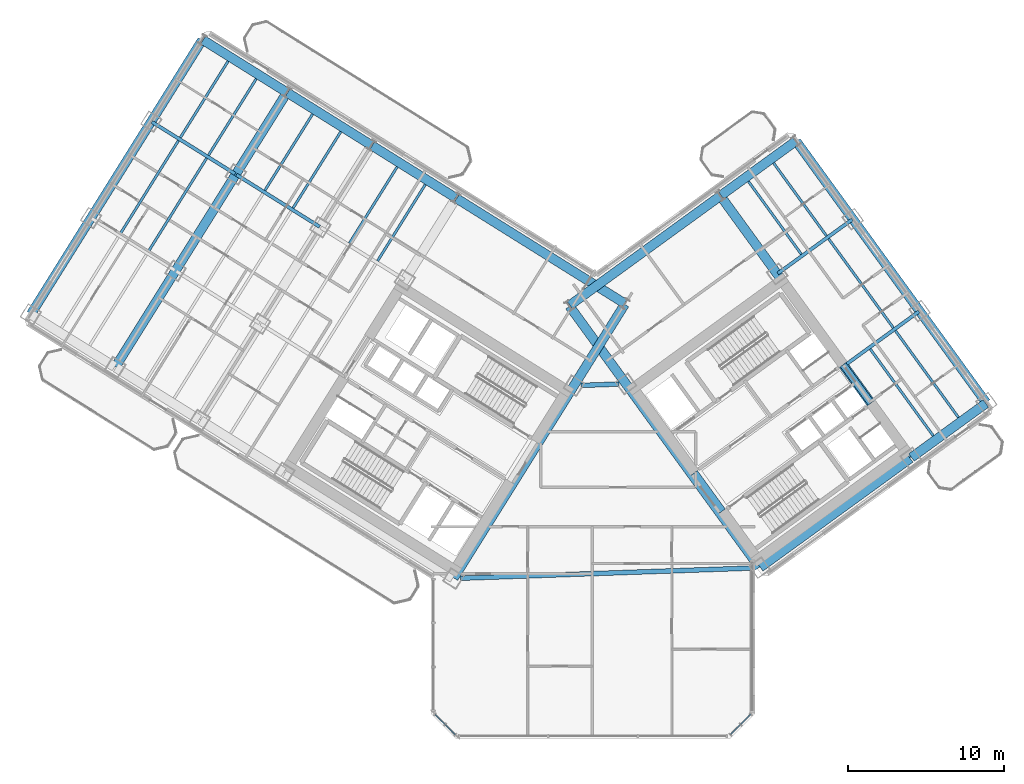
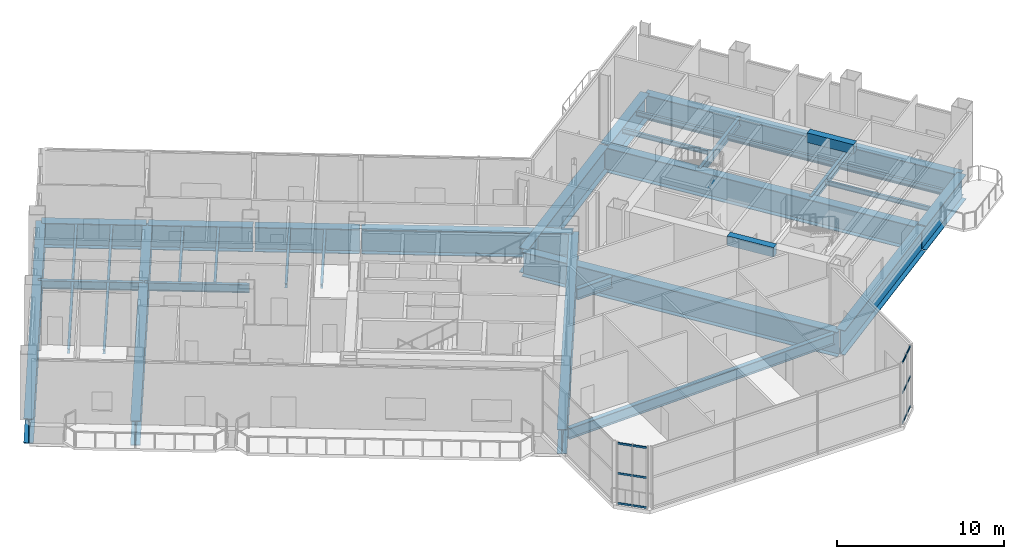
# One storey, part 8 of 22: 35 beams, 12 members, 2 elements without a shape of their own.
"""IFC4 building model written with IfcOpenShell, lengths in metres."""

from ifc_helpers import new_model, si_unit, direction, frame, origin, origin_2d, place, context, subcontext, project, spatial, rectangle, hollow_rectangle, i_section, extrude, source, transform, mapped, material, material_profile, profile_set, type_object, element, aggregate, save


model = new_model("IFC4")

# Units and contexts
model_context = context("Model", 3, precision=1e-05, world=origin(), true_north=direction((0.0, 1.0)))
body_context = subcontext(model_context, "Body", "Model", "MODEL_VIEW")
ifc_project = project(units=[si_unit("LENGTHUNIT", "METRE"), si_unit("AREAUNIT", "SQUARE_METRE"), si_unit("VOLUMEUNIT", "CUBIC_METRE"), si_unit("PLANEANGLEUNIT", "RADIAN"), si_unit("MASSUNIT", "GRAM", prefix="KILO")], contexts=[model_context])

# Site, building, storey
site_placement = place(None, origin())
site = spatial("IfcSite", under=ifc_project, at=site_placement, CompositionType="ELEMENT")
building_placement = place(site_placement, origin())
building = spatial("IfcBuilding", under=site, at=building_placement, Name="Tlacorven Tower", CompositionType="ELEMENT")
storey_placement = place(building_placement, frame((0.0, 0.0, 71.699951171875)))
storey = spatial("IfcBuildingStorey", under=building, at=storey_placement, Name="L18", CompositionType="ELEMENT", Elevation=71.699951171875)

# Beams
ifc_material_1 = material(Name="Concrete C60/75", Category="concrete")
ifc_material_profile_1 = material_profile(ifc_material_1, rectangle(XDim=0.449951171875, YDim=0.699951171875, at=origin_2d()), Name="RC 450X700")
ifc_profile_set_1 = profile_set([ifc_material_profile_1], Name="Concrete C60/75")
beam_type_1 = type_object("IfcBeamType", Name="BM-LNT-700", PredefinedType="LINTEL", material=ifc_profile_set_1)
shared_shape_1 = source(origin(), body_context, "Body", "SweptSolid", [
    extrude(rectangle(XDim=0.449951171875, YDim=0.699951171875, at=origin_2d()), origin(), (0.0, 0.0, 1.0), 3.050048828125),
])
for number, where, z_axis, x_axis, name in (
    (1, (50.318359375, 16.416015625, 4.170166015625), (-0.587776590479, 0.80902328748, 0.0), (-0.80902328748, -0.587776590479, 0.0), "L18 E core coupling lintel beam E1"),
    (2, (59.856689453125, 23.345947265625, 4.170166015625), (-0.587776590479, 0.80902328748, 0.0), (-0.80902328748, -0.587776590479, 0.0), "L18 E core coupling lintel beam E2"),
):
    element("IfcBeam", number, at=place(storey_placement, frame(where, z_axis=z_axis, x_axis=x_axis)), inside=storey, type_object=beam_type_1, Name=name, PredefinedType="LINTEL", context=body_context, shape_type="MappedRepresentation", body=[
        mapped(shared_shape_1, transform((0.0, 0.0, 0.0), scale=1.0)),
    ])
ifc_material_2 = material(Name="Steel S460M", Category="steel")
ifc_material_profile_2 = material_profile(ifc_material_2, i_section(OverallWidth=0.60009765625, OverallDepth=1.800048828125, WebThickness=0.028076171875, FlangeThickness=0.0400390625, at=origin_2d()), Name="PG 1800X600X28X40")
ifc_profile_set_2 = profile_set([ifc_material_profile_2], Name="Steel S460M")
beam_type_2 = type_object("IfcBeamType", Name="BM-TRG-1800", PredefinedType="USERDEFINED", material=ifc_profile_set_2)
shared_shape_2 = source(origin(), body_context, "Body", "SweptSolid", [
    extrude(i_section(OverallWidth=0.60009765625, OverallDepth=1.800048828125, WebThickness=0.028076171875, FlangeThickness=0.0400390625, at=origin_2d()), origin(), (0.0, 0.0, 1.0), 20.72021484375),
])
for number, where, z_axis, x_axis, name in (
    (3, (16.90966796875, 46.64990234375, -1.179931640625), (-0.529916326015, -0.848049932152, 0.0), (0.848049932152, -0.529916326015, 0.0), "L18 beam BM-L18-WT6-1"),
    (4, (52.681884765625, 12.8056640625, -1.179931640625), (-0.587784199495, 0.809017759276, 0.0), (-0.809017759276, -0.587784199495, 0.0), "L18 beam BM-L18-ET1-1"),
    (5, (62.39013671875, 19.859130859375, -1.179931640625), (-0.587784199495, 0.809017759276, 0.0), (-0.809017759276, -0.587784199495, 0.0), "L18 beam BM-L18-ET3-1"),
):
    element("IfcBeam", number, at=place(storey_placement, frame(where, z_axis=z_axis, x_axis=x_axis)), inside=storey, type_object=beam_type_2, Name=name, ObjectType="TRANSFER GIRDER", PredefinedType="USERDEFINED", context=body_context, shape_type="MappedRepresentation", body=[
        mapped(shared_shape_2, transform((0.0, 0.0, 0.0), scale=1.0)),
    ])
shared_shape_3 = source(origin(), body_context, "Body", "SweptSolid", [
    extrude(i_section(OverallWidth=0.60009765625, OverallDepth=1.800048828125, WebThickness=0.028076171875, FlangeThickness=0.0400390625, at=origin_2d()), origin(), (0.0, 0.0, 1.0), 20.719970703125),
])
for number, where, z_axis, x_axis, name in (
    (6, (44.04736328125, 29.6923828125, -1.179931640625), (-0.529921621162, -0.84804662338, 0.0), (0.84804662338, -0.529921621162, 0.0), "L18 beam BM-L18-WT1-1"),
    (7, (22.337158203125, 43.25830078125, -1.179931640625), (-0.52991314706, -0.84805191856, 0.0), (0.84805191856, -0.52991314706, 0.0), "L18 beam BM-L18-WT5-1"),
    (8, (67.244140625, 23.385986328125, -1.179931640625), (-0.587789802576, 0.809013688381, 0.0), (-0.809013688381, -0.587789802576, 0.0), "L18 beam BM-L18-ET4-1"),
):
    element("IfcBeam", number, at=place(storey_placement, frame(where, z_axis=z_axis, x_axis=x_axis)), inside=storey, type_object=beam_type_2, Name=name, ObjectType="TRANSFER GIRDER", PredefinedType="USERDEFINED", context=body_context, shape_type="MappedRepresentation", body=[
        mapped(shared_shape_3, transform((0.0, 0.0, 0.0), scale=1.0)),
    ])
ifc_material_3 = material(Name="Steel S355J2", Category="steel")
ifc_material_profile_3 = material_profile(ifc_material_3, i_section(OverallWidth=0.300048828125, OverallDepth=0.800048828125, WebThickness=0.017578125, FlangeThickness=0.032958984375, at=origin_2d()), Name="HEB 800")
ifc_profile_set_3 = profile_set([ifc_material_profile_3], Name="Steel S355J2")
beam_type_3 = type_object("IfcBeamType", Name="BM-POD-800", PredefinedType="BEAM", material=ifc_profile_set_3)
shared_shape_4 = source(origin(), body_context, "Body", "SweptSolid", [
    extrude(i_section(OverallWidth=0.300048828125, OverallDepth=0.800048828125, WebThickness=0.017578125, FlangeThickness=0.032958984375, at=origin_2d()), origin(), (0.0, 0.0, 1.0), 2.44287109375),
])
beam_1_placement = place(storey_placement, frame((41.232666015625, 24.484130859375, -0.679931640625), z_axis=(0.999391550767, 0.034878765122, 0.0), x_axis=(-0.034878765122, 0.999391550767, 0.0)))
element("IfcBeam", 9, at=beam_1_placement, inside=storey, type_object=beam_type_3, Name="L18 Knuckle Link Girder 1", PredefinedType="BEAM", context=body_context, shape_type="MappedRepresentation", body=[
    mapped(shared_shape_4, transform((0.0, 0.0, 0.0), scale=1.0)),
])
shared_shape_5 = source(origin(), body_context, "Body", "SweptSolid", [
    extrude(i_section(OverallWidth=0.300048828125, OverallDepth=0.800048828125, WebThickness=0.017578125, FlangeThickness=0.032958984375, at=origin_2d()), origin(), (0.0, 0.0, 1.0), 18.771240234375),
])
beam_2_placement = place(storey_placement, frame((33.495849609375, 12.1025390625, -0.679931640625), z_axis=(0.999390514848, 0.034908434954, 0.0), x_axis=(-0.034908434954, 0.999390514848, 0.0)))
element("IfcBeam", 10, at=beam_2_placement, inside=storey, type_object=beam_type_3, Name="L18 Knuckle Link Girder 2", PredefinedType="BEAM", context=body_context, shape_type="MappedRepresentation", body=[
    mapped(shared_shape_5, transform((0.0, 0.0, 0.0), scale=1.0)),
])
ifc_material_profile_4 = material_profile(ifc_material_3, i_section(OverallWidth=0.159912109375, OverallDepth=0.330078125, WebThickness=0.007568359375, FlangeThickness=0.011474609375, at=origin_2d()), Name="IPE 330")
ifc_profile_set_4 = profile_set([ifc_material_profile_4], Name="Steel S355J2")
beam_type_4 = type_object("IfcBeamType", Name="BM-JST-330", PredefinedType="JOIST", material=ifc_profile_set_4)
shared_shape_6 = source(origin(), body_context, "Body", "SweptSolid", [
    extrude(i_section(OverallWidth=0.159912109375, OverallDepth=0.330078125, WebThickness=0.007568359375, FlangeThickness=0.011474609375, at=origin_2d()), origin(), (0.0, 0.0, 1.0), 7.070068359375),
])
for number, where, z_axis, x_axis, name in (
    (11, (17.202880859375, 39.0673828125, -0.445068359375), (-0.529915131461, -0.848050678585, 0.0), (0.848050678585, -0.529915131461, 0.0), "L18 beam BM-L18-WJ5-2-1"),
    (12, (15.3935546875, 40.19775390625, -0.445068359375), (-0.529930649952, -0.848040981463, 0.0), (0.848040981463, -0.529930649952, 0.0), "L18 beam BM-L18-WJ5-2-2"),
    (13, (61.291259765625, 28.1767578125, -0.445068359375), (-0.587797946309, 0.80900777148, 0.0), (-0.80900777148, -0.587797946309, 0.0), "L18 beam BM-L18-EJ3-2-2"),
):
    element("IfcBeam", number, at=place(storey_placement, frame(where, z_axis=z_axis, x_axis=x_axis)), inside=storey, type_object=beam_type_4, Name=name, PredefinedType="JOIST", context=body_context, shape_type="MappedRepresentation", body=[
        mapped(shared_shape_6, transform((0.0, 0.0, 0.0), scale=1.0)),
    ])
shared_shape_7 = source(origin(), body_context, "Body", "SweptSolid", [
    extrude(i_section(OverallWidth=0.60009765625, OverallDepth=1.800048828125, WebThickness=0.028076171875, FlangeThickness=0.0400390625, at=origin_2d()), origin(), (0.0, 0.0, 1.0), 12.699951171875),
])
beam_3_placement = place(storey_placement, frame((44.026123046875, 29.752685546875, -1.179931640625), z_axis=(-0.848049059057, 0.529917723268, 0.0), x_axis=(-0.529917723268, -0.848049059057, 0.0)))
element("IfcBeam", 14, at=beam_3_placement, inside=storey, type_object=beam_type_2, Name="L18 beam BM-L18-WL1-1", ObjectType="TRANSFER GIRDER", PredefinedType="USERDEFINED", context=body_context, shape_type="MappedRepresentation", body=[
    mapped(shared_shape_7, transform((0.0, 0.0, 0.0), scale=1.0)),
])
shared_shape_8 = source(origin(), body_context, "Body", "SweptSolid", [
    extrude(i_section(OverallWidth=0.60009765625, OverallDepth=1.800048828125, WebThickness=0.028076171875, FlangeThickness=0.0400390625, at=origin_2d()), origin(), (0.0, 0.0, 1.0), 6.300048828125),
])
for number, where, z_axis, x_axis, name in (
    (15, (33.171142578125, 36.53564453125, -1.179931640625), (-0.848041842361, 0.529929272267, 0.0), (-0.529929272267, -0.848041842361, 0.0), "L18 beam BM-L18-WL1-3"),
    (16, (27.74365234375, 39.92724609375, -1.179931640625), (-0.848059257352, 0.529901402168, 0.0), (-0.529901402168, -0.848059257352, 0.0), "L18 beam BM-L18-WL1-4"),
):
    element("IfcBeam", number, at=place(storey_placement, frame(where, z_axis=z_axis, x_axis=x_axis)), inside=storey, type_object=beam_type_2, Name=name, ObjectType="TRANSFER GIRDER", PredefinedType="USERDEFINED", context=body_context, shape_type="MappedRepresentation", body=[
        mapped(shared_shape_8, transform((0.0, 0.0, 0.0), scale=1.0)),
    ])
shared_shape_9 = source(origin(), body_context, "Body", "SweptSolid", [
    extrude(i_section(OverallWidth=0.60009765625, OverallDepth=1.800048828125, WebThickness=0.028076171875, FlangeThickness=0.0400390625, at=origin_2d()), origin(), (0.0, 0.0, 1.0), 6.2998046875),
])
beam_4_placement = place(storey_placement, frame((22.31591796875, 43.318603515625, -1.179931640625), z_axis=(-0.848030959382, 0.529946687819, 0.0), x_axis=(-0.529946687819, -0.848030959382, 0.0)))
element("IfcBeam", 17, at=beam_4_placement, inside=storey, type_object=beam_type_2, Name="L18 beam BM-L18-WL1-5", ObjectType="TRANSFER GIRDER", PredefinedType="USERDEFINED", context=body_context, shape_type="MappedRepresentation", body=[
    mapped(shared_shape_9, transform((0.0, 0.0, 0.0), scale=1.0)),
])
ifc_material_profile_5 = material_profile(ifc_material_3, i_section(OverallWidth=0.219970703125, OverallDepth=0.60009765625, WebThickness=0.011962890625, FlangeThickness=0.01904296875, at=origin_2d()), Name="IPE 600")
ifc_profile_set_5 = profile_set([ifc_material_profile_5], Name="Steel S355J2")
beam_type_5 = type_object("IfcBeamType", Name="BM-TWR-600", PredefinedType="BEAM", material=ifc_profile_set_5)
shared_shape_10 = source(origin(), body_context, "Body", "SweptSolid", [
    extrude(i_section(OverallWidth=0.219970703125, OverallDepth=0.60009765625, WebThickness=0.011962890625, FlangeThickness=0.01904296875, at=origin_2d()), origin(), (0.0, 0.0, 1.0), 6.300048828125),
])
for number, where, z_axis, x_axis, name in (
    (18, (24.4580078125, 34.66943359375, -0.579833984375), (-0.848059257352, 0.529901402168, 0.0), (-0.529901402168, -0.848059257352, 0.0), "L18 beam BM-L18-WL2-4"),
    (19, (19.030517578125, 38.060791015625, -0.579833984375), (-0.848041842361, 0.529929272267, 0.0), (-0.529929272267, -0.848041842361, 0.0), "L18 beam BM-L18-WL2-5"),
):
    element("IfcBeam", number, at=place(storey_placement, frame(where, z_axis=z_axis, x_axis=x_axis)), inside=storey, type_object=beam_type_5, Name=name, PredefinedType="BEAM", context=body_context, shape_type="MappedRepresentation", body=[
        mapped(shared_shape_10, transform((0.0, 0.0, 0.0), scale=1.0)),
    ])
shared_shape_11 = source(origin(), body_context, "Body", "SweptSolid", [
    extrude(i_section(OverallWidth=0.159912109375, OverallDepth=0.330078125, WebThickness=0.007568359375, FlangeThickness=0.011474609375, at=origin_2d()), origin(), (0.0, 0.0, 1.0), 5.780029296875),
])
for number, where, z_axis, x_axis, name in (
    (20, (31.24267578125, 37.381103515625, -0.445068359375), (-0.529915411001, -0.848050503911, 0.0), (0.848050503911, -0.529915411001, 0.0), "L18 beam BM-L18-WJ3-1-1"),
    (21, (29.433349609375, 38.51171875, -0.445068359375), (-0.529885032993, -0.848069485248, 0.0), (0.848069485248, -0.529885032993, 0.0), "L18 beam BM-L18-WJ3-1-2"),
    (22, (25.815185546875, 40.7724609375, -0.445068359375), (-0.529934393004, -0.848038642463, 0.0), (0.848038642463, -0.529934393004, 0.0), "L18 beam BM-L18-WJ4-1-1"),
    (23, (20.3876953125, 44.1640625, -0.445068359375), (-0.529915411001, -0.848050503911, 0.0), (0.848050503911, -0.529915411001, 0.0), "L18 beam BM-L18-WJ5-1-1"),
    (24, (18.578369140625, 45.294677734375, -0.445068359375), (-0.529915411001, -0.848050503911, 0.0), (0.848050503911, -0.529915411001, 0.0), "L18 beam BM-L18-WJ5-1-2"),
    (25, (55.38232421875, 32.906982421875, -0.445068359375), (-0.587752199212, 0.809041007812, 0.0), (-0.809041007812, -0.587752199212, 0.0), "L18 beam BM-L18-EJ3-3-1"),
    (26, (57.00048828125, 34.082763671875, -0.445068359375), (-0.587799931082, 0.809006329406, 0.0), (-0.809006329406, -0.587799931082, 0.0), "L18 beam BM-L18-EJ3-3-2"),
):
    element("IfcBeam", number, at=place(storey_placement, frame(where, z_axis=z_axis, x_axis=x_axis)), inside=storey, type_object=beam_type_4, Name=name, PredefinedType="JOIST", context=body_context, shape_type="MappedRepresentation", body=[
        mapped(shared_shape_11, transform((0.0, 0.0, 0.0), scale=1.0)),
    ])
shared_shape_12 = source(origin(), body_context, "Body", "SweptSolid", [
    extrude(i_section(OverallWidth=0.159912109375, OverallDepth=0.330078125, WebThickness=0.007568359375, FlangeThickness=0.011474609375, at=origin_2d()), origin(), (0.0, 0.0, 1.0), 5.77978515625),
])
beam_5_placement = place(storey_placement, frame((24.005859375, 41.903076171875, -0.445068359375), z_axis=(-0.529904014759, -0.848057624895, 0.0), x_axis=(0.848057624895, -0.529904014759, 0.0)))
element("IfcBeam", 27, at=beam_5_placement, inside=storey, type_object=beam_type_4, Name="L18 beam BM-L18-WJ4-1-2", PredefinedType="JOIST", context=body_context, shape_type="MappedRepresentation", body=[
    mapped(shared_shape_12, transform((0.0, 0.0, 0.0), scale=1.0)),
])
shared_shape_13 = source(origin(), body_context, "Body", "SweptSolid", [
    extrude(i_section(OverallWidth=0.159912109375, OverallDepth=0.330078125, WebThickness=0.007568359375, FlangeThickness=0.011474609375, at=origin_2d()), origin(), (0.0, 0.0, 1.0), 6.8798828125),
])
for number, where, z_axis, x_axis, name in (
    (28, (63.852294921875, 21.249267578125, -0.445068359375), (-0.58779183559, 0.809012211288, 0.0), (-0.809012211288, -0.58779183559, 0.0), "L18 beam BM-L18-EJ3-1-1"),
    (29, (65.470458984375, 22.4248046875, -0.445068359375), (-0.58779183559, 0.809012211288, 0.0), (-0.809012211288, -0.58779183559, 0.0), "L18 beam BM-L18-EJ3-1-2"),
):
    element("IfcBeam", number, at=place(storey_placement, frame(where, z_axis=z_axis, x_axis=x_axis)), inside=storey, type_object=beam_type_4, Name=name, PredefinedType="JOIST", context=body_context, shape_type="MappedRepresentation", body=[
        mapped(shared_shape_13, transform((0.0, 0.0, 0.0), scale=1.0)),
    ])
shared_shape_14 = source(origin(), body_context, "Body", "SweptSolid", [
    extrude(i_section(OverallWidth=0.60009765625, OverallDepth=1.800048828125, WebThickness=0.028076171875, FlangeThickness=0.0400390625, at=origin_2d()), origin(), (0.0, 0.0, 1.0), 11.89990234375),
])
for number, where, z_axis, x_axis, name in (
    (30, (52.745849609375, 12.802734375, -1.179931640625), (0.809014570063, 0.587788589057, 0.0), (-0.587788589057, 0.809014570063, 0.0), "L18 beam BM-L18-EL1-1"),
    (31, (40.52001953125, 29.63037109375, -1.179931640625), (0.809014570063, 0.587788589057, 0.0), (-0.587788589057, 0.809014570063, 0.0), "L18 beam BM-L18-EL4-1"),
):
    element("IfcBeam", number, at=place(storey_placement, frame(where, z_axis=z_axis, x_axis=x_axis)), inside=storey, type_object=beam_type_2, Name=name, ObjectType="TRANSFER GIRDER", PredefinedType="USERDEFINED", context=body_context, shape_type="MappedRepresentation", body=[
        mapped(shared_shape_14, transform((0.0, 0.0, 0.0), scale=1.0)),
    ])
shared_shape_15 = source(origin(), body_context, "Body", "SweptSolid", [
    extrude(i_section(OverallWidth=0.60009765625, OverallDepth=1.800048828125, WebThickness=0.028076171875, FlangeThickness=0.0400390625, at=origin_2d()), origin(), (0.0, 0.0, 1.0), 5.900146484375),
])
beam_6_placement = place(storey_placement, frame((62.4541015625, 19.856201171875, -1.179931640625), z_axis=(0.80900977213, 0.587795192732, 0.0), x_axis=(-0.587795192732, 0.80900977213, 0.0)))
element("IfcBeam", 32, at=beam_6_placement, inside=storey, type_object=beam_type_2, Name="L18 beam BM-L18-EL1-3", ObjectType="TRANSFER GIRDER", PredefinedType="USERDEFINED", context=body_context, shape_type="MappedRepresentation", body=[
    mapped(shared_shape_15, transform((0.0, 0.0, 0.0), scale=1.0)),
])
shared_shape_16 = source(origin(), body_context, "Body", "SweptSolid", [
    extrude(i_section(OverallWidth=0.219970703125, OverallDepth=0.60009765625, WebThickness=0.011962890625, FlangeThickness=0.01904296875, at=origin_2d()), origin(), (0.0, 0.0, 1.0), 5.900146484375),
])
beam_7_placement = place(storey_placement, frame((58.163330078125, 25.761962890625, -0.579833984375), z_axis=(0.80900977213, 0.587795192732, 0.0), x_axis=(-0.587795192732, 0.80900977213, 0.0)))
element("IfcBeam", 33, at=beam_7_placement, inside=storey, type_object=beam_type_5, Name="L18 beam BM-L18-EL2-3", PredefinedType="BEAM", context=body_context, shape_type="MappedRepresentation", body=[
    mapped(shared_shape_16, transform((0.0, 0.0, 0.0), scale=1.0)),
])
shared_shape_17 = source(origin(), body_context, "Body", "SweptSolid", [
    extrude(i_section(OverallWidth=0.219970703125, OverallDepth=0.60009765625, WebThickness=0.011962890625, FlangeThickness=0.01904296875, at=origin_2d()), origin(), (0.0, 0.0, 1.0), 5.89990234375),
])
beam_8_placement = place(storey_placement, frame((53.872314453125, 31.66796875, -0.579833984375), z_axis=(0.809029449413, 0.587768109021, 0.0), x_axis=(-0.587768109021, 0.809029449413, 0.0)))
element("IfcBeam", 34, at=beam_8_placement, inside=storey, type_object=beam_type_5, Name="L18 beam BM-L18-EL3-3", PredefinedType="BEAM", context=body_context, shape_type="MappedRepresentation", body=[
    mapped(shared_shape_17, transform((0.0, 0.0, 0.0), scale=1.0)),
])
shared_shape_18 = source(origin(), body_context, "Body", "SweptSolid", [
    extrude(i_section(OverallWidth=0.60009765625, OverallDepth=1.800048828125, WebThickness=0.028076171875, FlangeThickness=0.0400390625, at=origin_2d()), origin(), (0.0, 0.0, 1.0), 5.89990234375),
])
beam_9_placement = place(storey_placement, frame((50.22802734375, 36.683837890625, -1.179931640625), z_axis=(0.809029449413, 0.587768109021, 0.0), x_axis=(-0.587768109021, 0.809029449413, 0.0)))
element("IfcBeam", 35, at=beam_9_placement, inside=storey, type_object=beam_type_2, Name="L18 beam BM-L18-EL4-3", ObjectType="TRANSFER GIRDER", PredefinedType="USERDEFINED", context=body_context, shape_type="MappedRepresentation", body=[
    mapped(shared_shape_18, transform((0.0, 0.0, 0.0), scale=1.0)),
])

# Curtain wall, members
ifc_material_4 = material(Name="Dark solar low-E double glazing in aluminium frame", Category="aluminium")
curtain_wall_type = type_object("IfcCurtainWallType", Name="CW-TWR-LOW", PredefinedType="USERDEFINED", material=ifc_material_4)
curtain_wall_1_placement = place(storey_placement, origin())
curtain_wall_1 = element("IfcCurtainWall", 36, at=curtain_wall_1_placement, inside=storey, type_object=curtain_wall_type, Name="L18 CW-TWR-LOW Curtain Wall 99", ObjectType="UNITISED CURTAIN WALL", PredefinedType="USERDEFINED")
ifc_material_5 = material(Name="Aluminium 6063-T6 anodised", Category="aluminium")
ifc_material_profile_6 = material_profile(ifc_material_5, hollow_rectangle(XDim=0.06005859375, YDim=0.139892578125, WallThickness=0.00390625, at=origin_2d()), Name="ALU TRANSOM 60X140")
ifc_profile_set_6 = profile_set([ifc_material_profile_6], Name="Aluminium 6063-T6 anodised")
member_type = type_object("IfcMemberType", Name="CWT-02", PredefinedType="USERDEFINED", material=ifc_profile_set_6)
shared_shape_19 = source(origin(), body_context, "Body", "SweptSolid", [
    extrude(hollow_rectangle(XDim=0.06005859375, YDim=0.139892578125, WallThickness=0.00390625, at=origin_2d()), origin(), (0.0, 0.0, 1.0), 0.8837890625),
])
member_1_placement = place(storey_placement, frame((52.128173828125, 3.3544921875, 0.070068359375), z_axis=(-0.707106781187, -0.707106781187, 0.0), x_axis=(0.707106781187, -0.707106781187, 0.0)))
member_1 = element("IfcMember", 37, at=member_1_placement, type_object=member_type, Name="CW-L18-099 Transom 1", ObjectType="TRANSOM", PredefinedType="USERDEFINED", context=body_context, shape_type="MappedRepresentation", body=[
    mapped(shared_shape_19, transform((0.0, 0.0, 0.0), scale=1.0)),
])
member_2_placement = place(storey_placement, frame((52.128173828125, 3.3544921875, 2.260009765625), z_axis=(-0.707106781187, -0.707106781187, 0.0), x_axis=(0.707106781187, -0.707106781187, 0.0)))
member_2 = element("IfcMember", 38, at=member_2_placement, type_object=member_type, Name="CW-L18-099 Transom 2", ObjectType="TRANSOM", PredefinedType="USERDEFINED", context=body_context, shape_type="MappedRepresentation", body=[
    mapped(shared_shape_19, transform((0.0, 0.0, 0.0), scale=1.0)),
])
member_3_placement = place(storey_placement, frame((52.128173828125, 3.3544921875, 4.449951171875), z_axis=(-0.707106781187, -0.707106781187, 0.0), x_axis=(0.707106781187, -0.707106781187, 0.0)))
member_3 = element("IfcMember", 39, at=member_3_placement, type_object=member_type, Name="CW-L18-099 Transom 3", ObjectType="TRANSOM", PredefinedType="USERDEFINED", context=body_context, shape_type="MappedRepresentation", body=[
    mapped(shared_shape_19, transform((0.0, 0.0, 0.0), scale=1.0)),
])

curtain_wall_2_placement = place(storey_placement, origin())
curtain_wall_2 = element("IfcCurtainWall", 40, at=curtain_wall_2_placement, inside=storey, type_object=curtain_wall_type, Name="L18 CW-TWR-LOW Curtain Wall 101", ObjectType="UNITISED CURTAIN WALL", PredefinedType="USERDEFINED")
member_4_placement = place(storey_placement, frame((32.496826171875, 2.7294921875, 0.070068359375), z_axis=(-0.707106781187, 0.707106781187, 0.0), x_axis=(-0.707106781187, -0.707106781187, 0.0)))
member_4 = element("IfcMember", 41, at=member_4_placement, type_object=member_type, Name="CW-L18-101 Transom 4", ObjectType="TRANSOM", PredefinedType="USERDEFINED", context=body_context, shape_type="MappedRepresentation", body=[
    mapped(shared_shape_19, transform((0.0, 0.0, 0.0), scale=1.0)),
])
member_5_placement = place(storey_placement, frame((32.496826171875, 2.7294921875, 2.260009765625), z_axis=(-0.707106781187, 0.707106781187, 0.0), x_axis=(-0.707106781187, -0.707106781187, 0.0)))
member_5 = element("IfcMember", 42, at=member_5_placement, type_object=member_type, Name="CW-L18-101 Transom 5", ObjectType="TRANSOM", PredefinedType="USERDEFINED", context=body_context, shape_type="MappedRepresentation", body=[
    mapped(shared_shape_19, transform((0.0, 0.0, 0.0), scale=1.0)),
])
member_6_placement = place(storey_placement, frame((32.496826171875, 2.7294921875, 4.449951171875), z_axis=(-0.707106781187, 0.707106781187, 0.0), x_axis=(-0.707106781187, -0.707106781187, 0.0)))
member_6 = element("IfcMember", 43, at=member_6_placement, type_object=member_type, Name="CW-L18-101 Transom 6", ObjectType="TRANSOM", PredefinedType="USERDEFINED", context=body_context, shape_type="MappedRepresentation", body=[
    mapped(shared_shape_19, transform((0.0, 0.0, 0.0), scale=1.0)),
])

# Member
shared_shape_20 = source(origin(), body_context, "Body", "SweptSolid", [
    extrude(hollow_rectangle(XDim=0.06005859375, YDim=0.139892578125, WallThickness=0.00390625, at=origin_2d()), origin(), (0.0, 0.0, 1.0), 0.884033203125),
])
member_7_placement = place(storey_placement, frame((51.470703125, 2.69677734375, 0.070068359375), z_axis=(-0.707244847527, -0.706968687883, 0.0), x_axis=(0.706968687883, -0.707244847527, 0.0)))
member_7 = element("IfcMember", 44, at=member_7_placement, type_object=member_type, Name="CW-L18-099 Transom 4", ObjectType="TRANSOM", PredefinedType="USERDEFINED", context=body_context, shape_type="MappedRepresentation", body=[
    mapped(shared_shape_20, transform((0.0, 0.0, 0.0), scale=1.0)),
])

member_8_placement = place(storey_placement, frame((51.470703125, 2.69677734375, 2.260009765625), z_axis=(-0.707244847527, -0.706968687883, 0.0), x_axis=(0.706968687883, -0.707244847527, 0.0)))
member_8 = element("IfcMember", 45, at=member_8_placement, type_object=member_type, Name="CW-L18-099 Transom 5", ObjectType="TRANSOM", PredefinedType="USERDEFINED", context=body_context, shape_type="MappedRepresentation", body=[
    mapped(shared_shape_20, transform((0.0, 0.0, 0.0), scale=1.0)),
])

member_9_placement = place(storey_placement, frame((51.470703125, 2.69677734375, 4.449951171875), z_axis=(-0.707244847527, -0.706968687883, 0.0), x_axis=(0.706968687883, -0.707244847527, 0.0)))
member_9 = element("IfcMember", 46, at=member_9_placement, type_object=member_type, Name="CW-L18-099 Transom 6", ObjectType="TRANSOM", PredefinedType="USERDEFINED", context=body_context, shape_type="MappedRepresentation", body=[
    mapped(shared_shape_20, transform((0.0, 0.0, 0.0), scale=1.0)),
])

aggregate(curtain_wall_1, [member_1, member_2, member_3, member_7, member_8, member_9])

member_10_placement = place(storey_placement, frame((33.154541015625, 2.07177734375, 0.070068359375), z_axis=(-0.707244847527, 0.706968687883, 0.0), x_axis=(-0.706968687883, -0.707244847527, 0.0)))
member_10 = element("IfcMember", 47, at=member_10_placement, type_object=member_type, Name="CW-L18-101 Transom 1", ObjectType="TRANSOM", PredefinedType="USERDEFINED", context=body_context, shape_type="MappedRepresentation", body=[
    mapped(shared_shape_20, transform((0.0, 0.0, 0.0), scale=1.0)),
])

member_11_placement = place(storey_placement, frame((33.154541015625, 2.07177734375, 2.260009765625), z_axis=(-0.707244847527, 0.706968687883, 0.0), x_axis=(-0.706968687883, -0.707244847527, 0.0)))
member_11 = element("IfcMember", 48, at=member_11_placement, type_object=member_type, Name="CW-L18-101 Transom 2", ObjectType="TRANSOM", PredefinedType="USERDEFINED", context=body_context, shape_type="MappedRepresentation", body=[
    mapped(shared_shape_20, transform((0.0, 0.0, 0.0), scale=1.0)),
])

member_12_placement = place(storey_placement, frame((33.154541015625, 2.07177734375, 4.449951171875), z_axis=(-0.707244847527, 0.706968687883, 0.0), x_axis=(-0.706968687883, -0.707244847527, 0.0)))
member_12 = element("IfcMember", 49, at=member_12_placement, type_object=member_type, Name="CW-L18-101 Transom 3", ObjectType="TRANSOM", PredefinedType="USERDEFINED", context=body_context, shape_type="MappedRepresentation", body=[
    mapped(shared_shape_20, transform((0.0, 0.0, 0.0), scale=1.0)),
])

aggregate(curtain_wall_2, [member_10, member_11, member_12, member_4, member_5, member_6])

save(model, "model.ifc")
